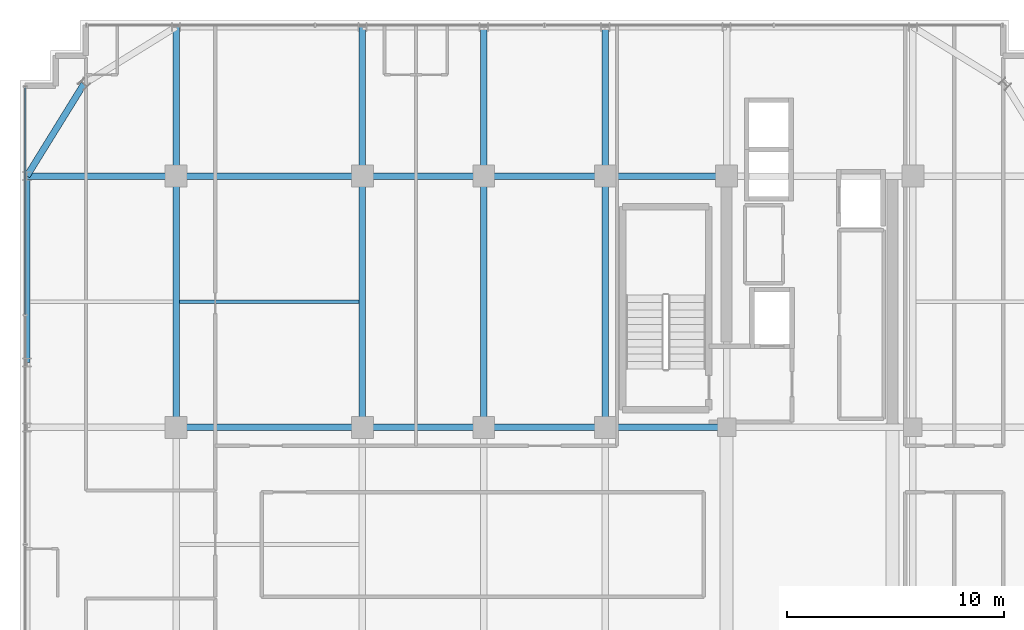
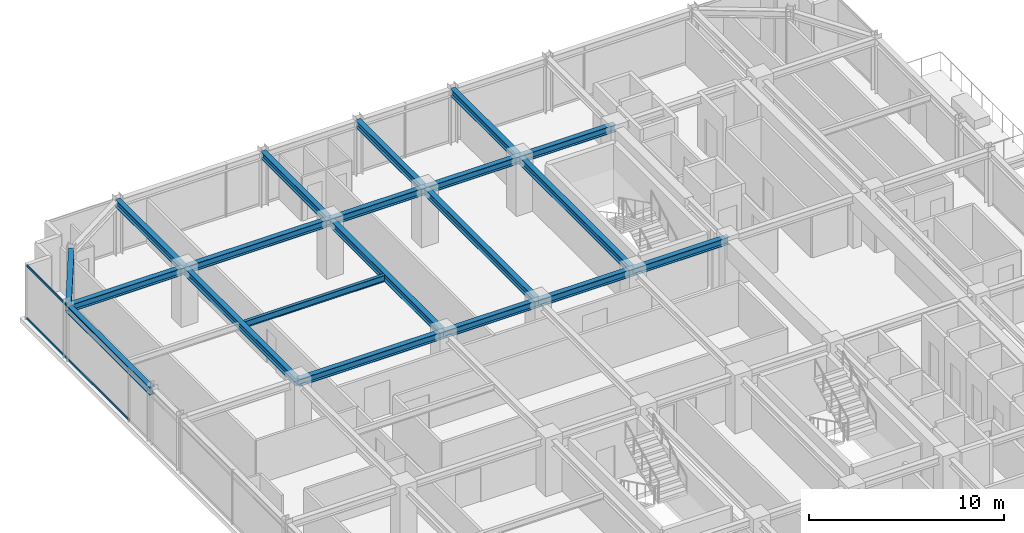
# One storey, part 19 of 34: 20 beams, 2 members, 1 element without a shape of its own.
"""IFC4 building model written with IfcOpenShell, lengths in metres."""

from ifc_helpers import new_model, si_unit, direction, frame, origin, origin_2d, place, context, subcontext, project, spatial, hollow_rectangle, i_section, extrude, source, transform, mapped, material, material_profile, profile_set, type_object, element, aggregate, save


model = new_model("IFC4")

# Units and contexts
model_context = context("Model", 3, precision=1e-05, world=origin(), true_north=direction((0.0, 1.0)))
body_context = subcontext(model_context, "Body", "Model", "MODEL_VIEW")
ifc_project = project(units=[si_unit("LENGTHUNIT", "METRE"), si_unit("AREAUNIT", "SQUARE_METRE"), si_unit("VOLUMEUNIT", "CUBIC_METRE"), si_unit("PLANEANGLEUNIT", "RADIAN"), si_unit("MASSUNIT", "GRAM", prefix="KILO")], contexts=[model_context])

# Site, building, storey
site_placement = place(None, origin())
site = spatial("IfcSite", under=ifc_project, at=site_placement, CompositionType="ELEMENT")
building_placement = place(site_placement, origin())
building = spatial("IfcBuilding", under=site, at=building_placement, Name="Nahalor Promenade Grand Hotel", CompositionType="ELEMENT")
storey_placement = place(building_placement, frame((0.0, 0.0, 238.199951171875)))
storey = spatial("IfcBuildingStorey", under=building, at=storey_placement, Name="L61", CompositionType="ELEMENT", Elevation=238.199951171875)

# Beams
ifc_material_1 = material(Name="Steel S355JR", Category="steel")
ifc_material_profile_1 = material_profile(ifc_material_1, i_section(OverallWidth=0.3, OverallDepth=0.45, WebThickness=0.014, FlangeThickness=0.026, at=origin_2d()), Name="HEB 450")
ifc_profile_set_1 = profile_set([ifc_material_profile_1], Name="Steel S355JR")
beam_type_1 = type_object("IfcBeamType", Name="Beam-Spandrel-HEB450", PredefinedType="SPANDREL", material=ifc_profile_set_1)
shared_shape_1 = source(origin(), body_context, "Body", "SweptSolid", [
    extrude(i_section(OverallWidth=0.3, OverallDepth=0.45, WebThickness=0.014, FlangeThickness=0.026, at=origin_2d()), origin(), (0.0, 0.0, 1.0), 8.60009765625),
])
beam_1_placement = place(storey_placement, frame((-23.8798828125, 8.39990234375, 3.18505859375), z_axis=(0.0, 1.0, 0.0), x_axis=(-1.0, 0.0, 0.0)))
element("IfcBeam", 1, at=beam_1_placement, inside=storey, type_object=beam_type_1, Name="BM-L61-SP-W-4", PredefinedType="SPANDREL", context=body_context, shape_type="MappedRepresentation", body=[
    mapped(shared_shape_1, transform((0.0, 0.0, 0.0), scale=1.0)),
])
shared_shape_2 = source(origin(), body_context, "Body", "SweptSolid", [
    extrude(i_section(OverallWidth=0.3, OverallDepth=0.45, WebThickness=0.014, FlangeThickness=0.026, at=origin_2d()), origin(), (0.0, 0.0, 1.0), 4.997802734375),
])
beam_2_placement = place(storey_placement, frame((-21.25, 21.25, 3.18505859375), z_axis=(-0.526199891161, -0.850360908404, 0.0), x_axis=(0.850360908404, -0.526199891161, 0.0)))
element("IfcBeam", 2, at=beam_2_placement, inside=storey, type_object=beam_type_1, Name="BM-L61-SPC-NW-2", PredefinedType="SPANDREL", context=body_context, shape_type="MappedRepresentation", body=[
    mapped(shared_shape_2, transform((0.0, 0.0, 0.0), scale=1.0)),
])
ifc_material_profile_2 = material_profile(ifc_material_1, i_section(OverallWidth=0.3, OverallDepth=0.45, WebThickness=0.014, FlangeThickness=0.026, at=origin_2d()), Name="HEB 450")
ifc_profile_set_2 = profile_set([ifc_material_profile_2], Name="Steel S355JR")
beam_type_2 = type_object("IfcBeamType", Name="Beam-Girder-HEB450", PredefinedType="BEAM", material=ifc_profile_set_2)
shared_shape_3 = source(origin(), body_context, "Body", "SweptSolid", [
    extrude(i_section(OverallWidth=0.3, OverallDepth=0.45, WebThickness=0.014, FlangeThickness=0.026, at=origin_2d()), origin(), (0.0, 0.0, 1.0), 6.8798828125),
])
for number, where, z_axis, x_axis, name in (
    (3, (-23.8798828125, 17.0, 3.18505859375), (1.0, 0.0, 0.0), (0.0, 1.0, 0.0), "BM-L61-GX-3-0"),
    (4, (-17.0, 17.0, 3.18505859375), (0.0, 1.0, 0.0), (-1.0, 0.0, 0.0), "BM-L61-GY-0-4"),
    (5, (-8.39990234375, 17.0, 3.18505859375), (0.0, 1.0, 0.0), (-1.0, 0.0, 0.0), "BM-L61-GY-1-4"),
    (6, (-2.800048828125, 17.0, 3.18505859375), (0.0, 1.0, 0.0), (-1.0, 0.0, 0.0), "BM-L61-GY-2-4"),
    (7, (2.800048828125, 17.0, 3.18505859375), (0.0, 1.0, 0.0), (-1.0, 0.0, 0.0), "BM-L61-GY-3-4"),
):
    element("IfcBeam", number, at=place(storey_placement, frame(where, z_axis=z_axis, x_axis=x_axis)), inside=storey, type_object=beam_type_2, Name=name, PredefinedType="BEAM", context=body_context, shape_type="MappedRepresentation", body=[
        mapped(shared_shape_3, transform((0.0, 0.0, 0.0), scale=1.0)),
    ])
shared_shape_4 = source(origin(), body_context, "Body", "SweptSolid", [
    extrude(i_section(OverallWidth=0.3, OverallDepth=0.45, WebThickness=0.014, FlangeThickness=0.026, at=origin_2d()), origin(), (0.0, 0.0, 1.0), 8.60009765625),
])
for number, where, z_axis, x_axis, name in (
    (8, (-17.0, 5.39990234375, 3.18505859375), (1.0, 0.0, 0.0), (0.0, 1.0, 0.0), "BM-L61-GX-2-1"),
    (9, (-17.0, 17.0, 3.18505859375), (1.0, 0.0, 0.0), (0.0, 1.0, 0.0), "BM-L61-GX-3-1"),
):
    element("IfcBeam", number, at=place(storey_placement, frame(where, z_axis=z_axis, x_axis=x_axis)), inside=storey, type_object=beam_type_2, Name=name, PredefinedType="BEAM", context=body_context, shape_type="MappedRepresentation", body=[
        mapped(shared_shape_4, transform((0.0, 0.0, 0.0), scale=1.0)),
    ])
shared_shape_5 = source(origin(), body_context, "Body", "SweptSolid", [
    extrude(i_section(OverallWidth=0.3, OverallDepth=0.45, WebThickness=0.014, FlangeThickness=0.026, at=origin_2d()), origin(), (0.0, 0.0, 1.0), 5.599853515625),
])
for number, where, z_axis, x_axis, name in (
    (10, (-8.39990234375, 5.39990234375, 3.18505859375), (1.0, 0.0, 0.0), (0.0, 1.0, 0.0), "BM-L61-GX-2-2"),
    (11, (2.800048828125, 5.39990234375, 3.18505859375), (1.0, 0.0, 0.0), (0.0, 1.0, 0.0), "BM-L61-GX-2-4"),
    (12, (-8.39990234375, 17.0, 3.18505859375), (1.0, 0.0, 0.0), (0.0, 1.0, 0.0), "BM-L61-GX-3-2"),
    (13, (2.800048828125, 17.0, 3.18505859375), (1.0, 0.0, 0.0), (0.0, 1.0, 0.0), "BM-L61-GX-3-4"),
):
    element("IfcBeam", number, at=place(storey_placement, frame(where, z_axis=z_axis, x_axis=x_axis)), inside=storey, type_object=beam_type_2, Name=name, PredefinedType="BEAM", context=body_context, shape_type="MappedRepresentation", body=[
        mapped(shared_shape_5, transform((0.0, 0.0, 0.0), scale=1.0)),
    ])
shared_shape_6 = source(origin(), body_context, "Body", "SweptSolid", [
    extrude(i_section(OverallWidth=0.3, OverallDepth=0.45, WebThickness=0.014, FlangeThickness=0.026, at=origin_2d()), origin(), (0.0, 0.0, 1.0), 5.60009765625),
])
for number, where, z_axis, x_axis, name in (
    (14, (-2.800048828125, 5.39990234375, 3.18505859375), (1.0, 0.0, 0.0), (0.0, 1.0, 0.0), "BM-L61-GX-2-3"),
    (15, (-2.800048828125, 17.0, 3.18505859375), (1.0, 0.0, 0.0), (0.0, 1.0, 0.0), "BM-L61-GX-3-3"),
):
    element("IfcBeam", number, at=place(storey_placement, frame(where, z_axis=z_axis, x_axis=x_axis)), inside=storey, type_object=beam_type_2, Name=name, PredefinedType="BEAM", context=body_context, shape_type="MappedRepresentation", body=[
        mapped(shared_shape_6, transform((0.0, 0.0, 0.0), scale=1.0)),
    ])
shared_shape_7 = source(origin(), body_context, "Body", "SweptSolid", [
    extrude(i_section(OverallWidth=0.3, OverallDepth=0.45, WebThickness=0.014, FlangeThickness=0.026, at=origin_2d()), origin(), (0.0, 0.0, 1.0), 11.60009765625),
])
for number, where, z_axis, x_axis, name in (
    (16, (-17.0, 5.39990234375, 3.18505859375), (0.0, 1.0, 0.0), (-1.0, 0.0, 0.0), "BM-L61-GY-0-3"),
    (17, (-8.39990234375, 5.39990234375, 3.18505859375), (0.0, 1.0, 0.0), (-1.0, 0.0, 0.0), "BM-L61-GY-1-3"),
    (18, (-2.800048828125, 5.39990234375, 3.18505859375), (0.0, 1.0, 0.0), (-1.0, 0.0, 0.0), "BM-L61-GY-2-3"),
    (19, (2.800048828125, 5.39990234375, 3.18505859375), (0.0, 1.0, 0.0), (-1.0, 0.0, 0.0), "BM-L61-GY-3-3"),
):
    element("IfcBeam", number, at=place(storey_placement, frame(where, z_axis=z_axis, x_axis=x_axis)), inside=storey, type_object=beam_type_2, Name=name, PredefinedType="BEAM", context=body_context, shape_type="MappedRepresentation", body=[
        mapped(shared_shape_7, transform((0.0, 0.0, 0.0), scale=1.0)),
    ])
ifc_material_profile_3 = material_profile(ifc_material_1, i_section(OverallWidth=0.18, OverallDepth=0.4, WebThickness=0.0086, FlangeThickness=0.0135, at=origin_2d()), Name="IPE 400")
ifc_profile_set_3 = profile_set([ifc_material_profile_3], Name="Steel S355JR")
beam_type_3 = type_object("IfcBeamType", Name="Beam-Joist-IPE400", PredefinedType="JOIST", material=ifc_profile_set_3)
shared_shape_8 = source(origin(), body_context, "Body", "SweptSolid", [
    extrude(i_section(OverallWidth=0.18, OverallDepth=0.4, WebThickness=0.0086, FlangeThickness=0.0135, at=origin_2d()), origin(), (0.0, 0.0, 1.0), 8.300048828125),
])
beam_3_placement = place(storey_placement, frame((-16.85009765625, 11.199951171875, 3.2099609375), z_axis=(1.0, 0.0, 0.0), x_axis=(0.0, 1.0, 0.0)))
element("IfcBeam", 20, at=beam_3_placement, inside=storey, type_object=beam_type_3, Name="BM-L61-JSW-1-1", PredefinedType="JOIST", context=body_context, shape_type="MappedRepresentation", body=[
    mapped(shared_shape_8, transform((0.0, 0.0, 0.0), scale=1.0)),
])

# Curtain wall, members
ifc_material_2 = material(Name="Anodised Bronze Aluminium EN AW-6063 T6", Category="aluminium")
curtain_wall_type = type_object("IfcCurtainWallType", Name="CW2 Typical Hotel Flush Bronze Unitised Curtain Wall", PredefinedType="USERDEFINED", material=ifc_material_2)
curtain_wall_placement = place(storey_placement, origin())
curtain_wall = element("IfcCurtainWall", 21, at=curtain_wall_placement, inside=storey, type_object=curtain_wall_type, Name="L61 Curtain Wall CW-L61-W-1", ObjectType="UNITISED_CURTAIN_WALL", PredefinedType="USERDEFINED")
ifc_material_profile_4 = material_profile(ifc_material_2, hollow_rectangle(XDim=0.065, YDim=0.13, WallThickness=0.004, at=origin_2d()), Name="CWT 65x130x4")
ifc_profile_set_4 = profile_set([ifc_material_profile_4], Name="Anodised Bronze Aluminium EN AW-6063 T6")
member_type = type_object("IfcMemberType", Name="CWT2 Typical Bronze Transom 65x130", PredefinedType="USERDEFINED", material=ifc_profile_set_4)
shared_shape_9 = source(origin(), body_context, "Body", "SweptSolid", [
    extrude(hollow_rectangle(XDim=0.065, YDim=0.13, WallThickness=0.004, at=origin_2d()), origin(), (0.0, 0.0, 1.0), 10.482421875),
])
member_1_placement = place(storey_placement, frame((-23.9599609375, 10.612548828125, 0.06494140625), z_axis=(0.0, 1.0, 0.0), x_axis=(-1.0, 0.0, 0.0)))
member_1 = element("IfcMember", 22, at=member_1_placement, type_object=member_type, Name="CW-L61-W-1 Transom 3-0", ObjectType="TRANSOM", PredefinedType="USERDEFINED", context=body_context, shape_type="MappedRepresentation", body=[
    mapped(shared_shape_9, transform((0.0, 0.0, 0.0), scale=1.0)),
])
member_2_placement = place(storey_placement, frame((-23.9599609375, 10.612548828125, 3.344970703125), z_axis=(0.0, 1.0, 0.0), x_axis=(-1.0, 0.0, 0.0)))
member_2 = element("IfcMember", 23, at=member_2_placement, type_object=member_type, Name="CW-L61-W-1 Transom 3-1", ObjectType="TRANSOM", PredefinedType="USERDEFINED", context=body_context, shape_type="MappedRepresentation", body=[
    mapped(shared_shape_9, transform((0.0, 0.0, 0.0), scale=1.0)),
])
aggregate(curtain_wall, [member_1, member_2])

save(model, "model.ifc")
